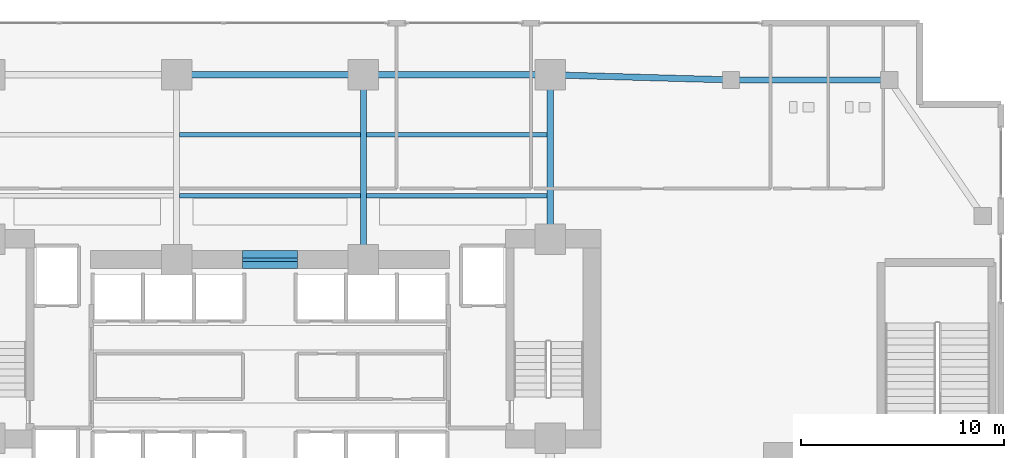
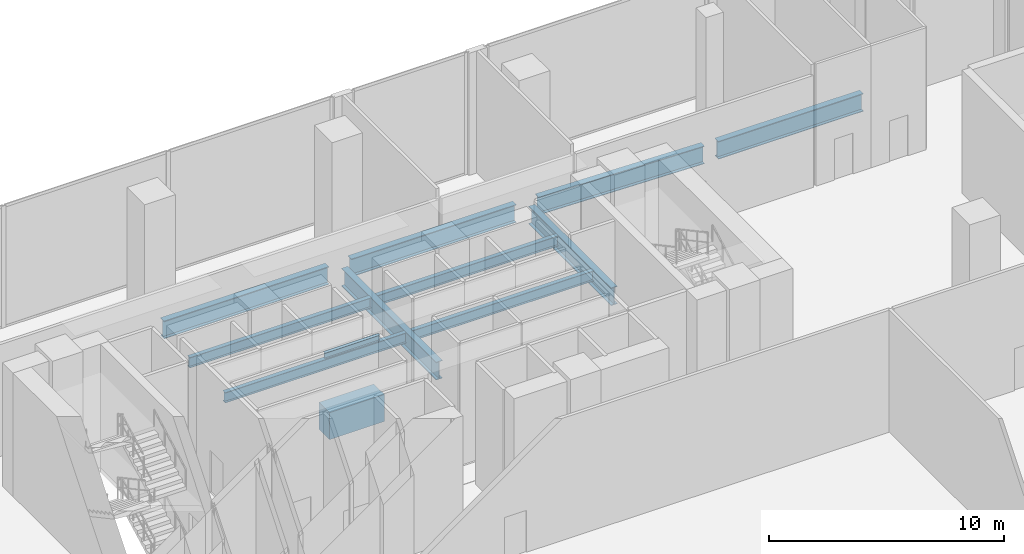
# One storey, part 16 of 30: 12 beams.
"""IFC4 building model written with IfcOpenShell, lengths in metres."""

import ifcopenshell
import ifcopenshell.guid

model = None  # the IFC model being written
_history = None  # IfcOwnerHistory: only IFC2X3 demands one
_inside = {}  # id of a spatial element -> (the spatial element, [elements in it])
_under = {}  # id of a project, library or spatial element -> (it, [spatial elements below it])
_declared = {}  # id of a project -> (the project, [libraries it declares])
_typed = {}  # id of a type object -> (the type object, [elements of that type])
_made_of = {}  # id of a material, layer set ... -> (it, [elements and type objects made of it])


def new_model(schema):
    """Start an empty IFC model of exactly this schema.

    Asked for "IFC4X3", IfcOpenShell would pick the latest addendum, in which some entities
    have other attributes; the version numbers below select the first issue.
    IFC2X3 requires an IfcOwnerHistory on every rooted entity: one is made here for all.
    """
    global model, _history
    if schema == "IFC4X3":
        model = ifcopenshell.file(schema_version=(4, 3, 0, 0))
    else:
        model = ifcopenshell.file(schema=schema)
    _inside.clear()
    _under.clear()
    _declared.clear()
    _typed.clear()
    _made_of.clear()
    _history = None
    if model.schema == "IFC2X3":
        org = make("IfcOrganization", Name="unknown")
        user = make(
            "IfcPersonAndOrganization",
            ThePerson=make("IfcPerson", FamilyName="unknown"),
            TheOrganization=org,
        )
        app = make(
            "IfcApplication",
            ApplicationDeveloper=org,
            Version="unknown",
            ApplicationFullName="unknown",
            ApplicationIdentifier="unknown",
        )
        _history = make(
            "IfcOwnerHistory",
            OwningUser=user,
            OwningApplication=app,
            ChangeAction="ADDED",
            CreationDate=0,
        )
    return model


def make(cls, **values):
    """One entity of the class cls with the attributes given. An attribute that is None is left unset."""
    return model.create_entity(
        cls, **{name: value for name, value in values.items() if value is not None}
    )


def rooted(cls, **values):
    """An entity with a GlobalId (a new one), such as an element, a storey or a relation."""
    return make(cls, GlobalId=ifcopenshell.guid.new(), OwnerHistory=_history, **values)


def si_unit(unit_type, name, prefix=None):
    """IfcSIUnit, for example si_unit("LENGTHUNIT", "METRE", prefix="MILLI")."""
    return make("IfcSIUnit", UnitType=unit_type, Prefix=prefix, Name=name)


def assignment(units):
    """IfcUnitAssignment: the units of a project."""
    return None if units is None else make("IfcUnitAssignment", Units=units)


def point(xyz):
    """IfcCartesianPoint."""
    return None if xyz is None else make("IfcCartesianPoint", Coordinates=xyz)


def direction(xyz):
    """IfcDirection."""
    return None if xyz is None else make("IfcDirection", DirectionRatios=xyz)


def frame(location, z_axis=None, x_axis=None):
    """IfcAxis2Placement3D, a coordinate frame: its origin and axes. An axis left out is left unset."""
    return make(
        "IfcAxis2Placement3D",
        Location=point(location),
        Axis=direction(z_axis),
        RefDirection=direction(x_axis),
    )


def frame_2d(location, x_axis=None):
    """IfcAxis2Placement2D, a coordinate frame in the plane: its origin and x axis."""
    return make(
        "IfcAxis2Placement2D", Location=point(location), RefDirection=direction(x_axis)
    )


def origin():
    """The frame at (0, 0, 0) with its axes left unset."""
    return frame((0.0, 0.0, 0.0))


def origin_2d():
    """The frame at (0, 0) in the plane with its x axis left unset."""
    return frame_2d((0.0, 0.0))


def place(relative_to, where):
    """IfcLocalPlacement: puts the frame where relative to a parent placement (None: the world)."""
    return make(
        "IfcLocalPlacement", PlacementRelTo=relative_to, RelativePlacement=where
    )


def context(
    kind, dimensions, precision=None, world=None, true_north=None, identifier=None
):
    """IfcGeometricRepresentationContext, for example the 3D "Model" context."""
    return make(
        "IfcGeometricRepresentationContext",
        ContextIdentifier=identifier,
        ContextType=kind,
        CoordinateSpaceDimension=dimensions,
        Precision=precision,
        WorldCoordinateSystem=world,
        TrueNorth=true_north,
    )


def subcontext(parent, identifier, kind, view, scale=None):
    """IfcGeometricRepresentationSubContext, for example "Body" below "Model"."""
    return make(
        "IfcGeometricRepresentationSubContext",
        ContextIdentifier=identifier,
        ContextType=kind,
        ParentContext=parent,
        TargetScale=scale,
        TargetView=view,
    )


def project(units=None, contexts=None):
    """IfcProject with its units and contexts."""
    return rooted(
        "IfcProject",
        Name="project",
        RepresentationContexts=contexts,
        UnitsInContext=assignment(units),
    )


def spatial(cls, under=None, at=None, **own):
    """A site, building, storey or space (cls), placed at a placement, below another one or the project."""
    s = rooted(cls, ObjectPlacement=at, **own)
    if under is not None:
        _under.setdefault(under.id(), (under, []))[1].append(s)
    return s


def profile(cls, at=None, kind="AREA", **sizes):
    """A parametric profile (cls). Its sizes go by their IFC names, for example OverallWidth=200.0."""
    return make(cls, ProfileType=kind, Position=at, **sizes)


def rectangle(**sizes):
    """IfcRectangleProfileDef."""
    return profile("IfcRectangleProfileDef", **sizes)


def i_section(**sizes):
    """IfcIShapeProfileDef."""
    return profile("IfcIShapeProfileDef", **sizes)


def extrude(swept, where, along, depth):
    """IfcExtrudedAreaSolid: the profile swept, set in the frame where, extruded along a direction by depth."""
    return make(
        "IfcExtrudedAreaSolid",
        SweptArea=swept,
        Position=where,
        ExtrudedDirection=direction(along),
        Depth=depth,
    )


def shape(context_of_items, identifier, shape_type, items):
    """IfcShapeRepresentation: the items that make up one representation, for example the "Body"."""
    return make(
        "IfcShapeRepresentation",
        ContextOfItems=context_of_items,
        RepresentationIdentifier=identifier,
        RepresentationType=shape_type,
        Items=items,
    )


def material(Name=None, Category=None):
    """IfcMaterial."""
    return make("IfcMaterial", Name=Name, Category=Category)


def material_profile(
    of_material, cross_section, Name=None, Category=None, Priority=None
):
    """IfcMaterialProfile: a cross section and its material."""
    return make(
        "IfcMaterialProfile",
        Name=Name,
        Material=of_material,
        Profile=cross_section,
        Priority=Priority,
        Category=Category,
    )


def profile_set(profiles, Name=None, composite=None):
    """IfcMaterialProfileSet."""
    return make(
        "IfcMaterialProfileSet",
        Name=Name,
        MaterialProfiles=profiles,
        CompositeProfile=composite,
    )


def made_of(thing, what):
    """Note that an element or type object is made of a material, layer set ...; save() writes the relation."""
    if what is not None:
        _made_of.setdefault(what.id(), (what, []))[1].append(thing)
    return thing


def type_object(cls, material=None, **own):
    """A type object (cls), such as IfcWallType, which elements share."""
    return made_of(rooted(cls, **own), material)


def element(
    cls,
    number,
    at=None,
    inside=None,
    cuts=None,
    type_object=None,
    material=None,
    context=None,
    identifier="Body",
    shape_type=None,
    held_by="IfcProductDefinitionShape",
    body=None,
    shapes=None,
    **own,
):
    """One element of the class cls, such as IfcWall. Its Tag is "e" and its number.

    at: its placement. inside: the storey or other place that contains it. cuts: it is an
    opening in that element (IfcRelVoidsElement). A single representation is given by context,
    identifier, shape_type and body (its items); several are given by shapes. held_by: the class
    of the entity that holds the representations. save() writes the other relations.
    """
    e = rooted(cls, Tag="e%d" % number, ObjectPlacement=at, **own)
    if body is not None:
        shapes = [shape(context, identifier, shape_type, body)]
    if shapes is not None:
        e.Representation = make(held_by, Representations=shapes)
    if inside is not None:
        _inside.setdefault(inside.id(), (inside, []))[1].append(e)
    if cuts is not None:
        rooted(
            "IfcRelVoidsElement", RelatingBuildingElement=cuts, RelatedOpeningElement=e
        )
    if type_object is not None:
        _typed.setdefault(type_object.id(), (type_object, []))[1].append(e)
    return made_of(e, material)


def aggregate(whole, parts):
    """IfcRelAggregates: a whole, such as a stair, and the parts it consists of."""
    return rooted("IfcRelAggregates", RelatingObject=whole, RelatedObjects=parts)


def save(model, path):
    """Write the relations noted so far, then the file.

    IfcRelAggregates (storeys below a building ...), IfcRelContainedInSpatialStructure (elements
    in a storey), IfcRelDefinesByType, IfcRelAssociatesMaterial and IfcRelDeclares: one each for
    every whole, place, type object, material and project.
    """
    for whole, parts in _under.values():
        aggregate(whole, parts)
    for where, things in _inside.values():
        rooted(
            "IfcRelContainedInSpatialStructure",
            RelatedElements=things,
            RelatingStructure=where,
        )
    for kind, things in _typed.values():
        rooted("IfcRelDefinesByType", RelatedObjects=things, RelatingType=kind)
    for what, things in _made_of.values():
        rooted("IfcRelAssociatesMaterial", RelatedObjects=things, RelatingMaterial=what)
    for by, libraries in _declared.values():
        rooted("IfcRelDeclares", RelatingContext=by, RelatedDefinitions=libraries)
    model.write(path)


model = new_model("IFC4")

# Units and contexts
model_context = context("Model", 3, precision=1e-05, world=origin(), true_north=direction((0.0, 1.0)))
body_context = subcontext(model_context, "Body", "Model", "MODEL_VIEW")
ifc_project = project(units=[si_unit("LENGTHUNIT", "METRE"), si_unit("AREAUNIT", "SQUARE_METRE"), si_unit("VOLUMEUNIT", "CUBIC_METRE"), si_unit("PLANEANGLEUNIT", "RADIAN"), si_unit("MASSUNIT", "GRAM", prefix="KILO")], contexts=[model_context])

# Site, building, storey
site_placement = place(None, origin())
site = spatial("IfcSite", under=ifc_project, at=site_placement, CompositionType="ELEMENT")
building_placement = place(site_placement, origin())
building = spatial("IfcBuilding", under=site, at=building_placement, Name="Zuhayl Quay Hotel", CompositionType="ELEMENT")
storey_placement = place(building_placement, frame((0.0, 0.0, 11.39990234375)))
storey = spatial("IfcBuildingStorey", under=building, at=storey_placement, Name="L02", CompositionType="ELEMENT", Elevation=11.39990234375)

# Beams
ifc_material_1 = material(Name="Concrete C60/75", Category="concrete")
ifc_material_profile_1 = material_profile(ifc_material_1, rectangle(XDim=0.89990234375, YDim=1.39990234375, at=origin_2d()), Name="RC900X1400")
ifc_profile_set_1 = profile_set([ifc_material_profile_1], Name="Concrete C60/75")
beam_type_1 = type_object("IfcBeamType", Name="BM_CB1_RC900", PredefinedType="T_BEAM", material=ifc_profile_set_1)
beam_1_placement = place(storey_placement, frame((-1.35009765625, 13.35009765625, -0.9599609375), z_axis=(1.0, 0.0, 0.0), x_axis=(0.0, 1.0, 0.0)))
element("IfcBeam", 1, at=beam_1_placement, inside=storey, type_object=beam_type_1, Name="L02 Core Coupling Beam North", PredefinedType="T_BEAM", context=body_context, shape_type="SweptSolid", body=[
    extrude(rectangle(XDim=0.89990234375, YDim=1.39990234375, at=origin_2d()), origin(), (0.0, 0.0, 1.0), 2.7001953125),
])
ifc_material_2 = material(Name="Steel ASTM A992 Grade 50", Category="steel")
ifc_material_profile_2 = material_profile(ifc_material_2, i_section(OverallWidth=0.208984375, OverallDepth=0.532958984375, WebThickness=0.01025390625, FlangeThickness=0.015625, at=origin_2d()), Name="W21X62")
ifc_profile_set_2 = profile_set([ifc_material_profile_2], Name="Steel ASTM A992 Grade 50")
beam_type_2 = type_object("IfcBeamType", Name="BM_J1_W21X62", PredefinedType="JOIST", material=ifc_profile_set_2)
beam_2_placement = place(storey_placement, frame((-4.45458984375, 16.5, -0.5263671875), z_axis=(1.0, 0.0, 0.0), x_axis=(0.0, 1.0, 0.0)))
element("IfcBeam", 2, at=beam_2_placement, inside=storey, type_object=beam_type_2, Name="L02 Floor Beam J_POD_L02_4_2", PredefinedType="JOIST", context=body_context, shape_type="SweptSolid", body=[
    extrude(i_section(OverallWidth=0.208984375, OverallDepth=0.532958984375, WebThickness=0.01025390625, FlangeThickness=0.015625, at=origin_2d()), origin(), (0.0, 0.0, 1.0), 8.9091796875),
])
beam_3_placement = place(storey_placement, frame((4.74560546875, 16.5, -0.5263671875), z_axis=(1.0, 0.0, 0.0), x_axis=(0.0, 1.0, 0.0)))
element("IfcBeam", 3, at=beam_3_placement, inside=storey, type_object=beam_type_2, Name="L02 Floor Beam J_POD_L02_4_3", PredefinedType="JOIST", context=body_context, shape_type="SweptSolid", body=[
    extrude(i_section(OverallWidth=0.208984375, OverallDepth=0.532958984375, WebThickness=0.01025390625, FlangeThickness=0.015625, at=origin_2d()), origin(), (0.0, 0.0, 1.0), 8.908935546875),
])
beam_4_placement = place(storey_placement, frame((-4.45458984375, 19.5, -0.5263671875), z_axis=(1.0, 0.0, 0.0), x_axis=(0.0, 1.0, 0.0)))
element("IfcBeam", 4, at=beam_4_placement, inside=storey, type_object=beam_type_2, Name="L02 Floor Beam J_POD_L02_5_2", PredefinedType="JOIST", context=body_context, shape_type="SweptSolid", body=[
    extrude(i_section(OverallWidth=0.208984375, OverallDepth=0.532958984375, WebThickness=0.01025390625, FlangeThickness=0.015625, at=origin_2d()), origin(), (0.0, 0.0, 1.0), 8.9091796875),
])
beam_5_placement = place(storey_placement, frame((4.74560546875, 19.5, -0.5263671875), z_axis=(1.0, 0.0, 0.0), x_axis=(0.0, 1.0, 0.0)))
element("IfcBeam", 5, at=beam_5_placement, inside=storey, type_object=beam_type_2, Name="L02 Floor Beam J_POD_L02_5_3", PredefinedType="JOIST", context=body_context, shape_type="SweptSolid", body=[
    extrude(i_section(OverallWidth=0.208984375, OverallDepth=0.532958984375, WebThickness=0.01025390625, FlangeThickness=0.015625, at=origin_2d()), origin(), (0.0, 0.0, 1.0), 8.908935546875),
])
ifc_material_profile_3 = material_profile(ifc_material_2, i_section(OverallWidth=0.1650390625, OverallDepth=0.31005859375, WebThickness=0.005859375, FlangeThickness=0.009765625, at=origin_2d()), Name="W12X26")
ifc_profile_set_3 = profile_set([ifc_material_profile_3], Name="Steel ASTM A992 Grade 50")
beam_type_3 = type_object("IfcBeamType", Name="BM_LN1_W12X26", PredefinedType="LINTEL", material=ifc_profile_set_3)
beam_6_placement = place(storey_placement, frame((-1.35009765625, 13.35009765625, 2.4501953125), z_axis=(1.0, 0.0, 0.0), x_axis=(0.0, 1.0, 0.0)))
element("IfcBeam", 6, at=beam_6_placement, inside=storey, type_object=beam_type_3, Name="L02 Core Portal Header Steel Lintel LN1-5", PredefinedType="LINTEL", context=body_context, shape_type="SweptSolid", body=[
    extrude(i_section(OverallWidth=0.1650390625, OverallDepth=0.31005859375, WebThickness=0.005859375, FlangeThickness=0.009765625, at=origin_2d()), origin(), (0.0, 0.0, 1.0), 2.7001953125),
])
ifc_material_profile_4 = material_profile(ifc_material_2, i_section(OverallWidth=0.306884765625, OverallDepth=0.927001953125, WebThickness=0.019287109375, FlangeThickness=0.031982421875, at=origin_2d()), Name="W36X194")
ifc_profile_set_4 = profile_set([ifc_material_profile_4], Name="Steel ASTM A992 Grade 50")
beam_type_4 = type_object("IfcBeamType", Name="BM_PG2_W36X194", PredefinedType="BEAM", material=ifc_profile_set_4)
for number, where, z_axis, x_axis, name in (
    (7, (-4.050048828125, 22.449951171875, -0.723388671875), (1.0, 0.0, 0.0), (0.0, 1.0, 0.0), "L02 Floor Beam PG_N_L02_3"),
    (8, (5.14990234375, 22.449951171875, -0.723388671875), (1.0, 0.0, 0.0), (0.0, 1.0, 0.0), "L02 Floor Beam PG_N_L02_4"),
):
    element("IfcBeam", number, at=place(storey_placement, frame(where, z_axis=z_axis, x_axis=x_axis)), inside=storey, type_object=beam_type_4, Name=name, PredefinedType="BEAM", context=body_context, shape_type="SweptSolid", body=[
        extrude(i_section(OverallWidth=0.306884765625, OverallDepth=0.927001953125, WebThickness=0.019287109375, FlangeThickness=0.031982421875, at=origin_2d()), origin(), (0.0, 0.0, 1.0), 8.10009765625),
    ])
beam_7_placement = place(storey_placement, frame((14.349853515625, 22.4345703125, -0.723388671875), z_axis=(0.99960539529, -0.028090099801, 0.0), x_axis=(0.028090099801, 0.99960539529, 0.0)))
element("IfcBeam", 9, at=beam_7_placement, inside=storey, type_object=beam_type_4, Name="L02 Floor Beam PG_N_L02_5", PredefinedType="BEAM", context=body_context, shape_type="SweptSolid", body=[
    extrude(i_section(OverallWidth=0.306884765625, OverallDepth=0.927001953125, WebThickness=0.019287109375, FlangeThickness=0.031982421875, at=origin_2d()), origin(), (0.0, 0.0, 1.0), 8.013427734375),
])
beam_8_placement = place(storey_placement, frame((23.0400390625, 22.199951171875, -0.723388671875), z_axis=(1.0, 0.0, 0.0), x_axis=(0.0, 1.0, 0.0)))
element("IfcBeam", 10, at=beam_8_placement, inside=storey, type_object=beam_type_4, Name="L02 Floor Beam PG_N_L02_6", PredefinedType="BEAM", context=body_context, shape_type="SweptSolid", body=[
    extrude(i_section(OverallWidth=0.306884765625, OverallDepth=0.927001953125, WebThickness=0.019287109375, FlangeThickness=0.031982421875, at=origin_2d()), origin(), (0.0, 0.0, 1.0), 7.119873046875),
])
beam_9_placement = place(storey_placement, frame((4.60009765625, 13.8701171875, -0.723388671875), z_axis=(0.0, 1.0, 0.0), x_axis=(-1.0, 0.0, 0.0)))
element("IfcBeam", 11, at=beam_9_placement, inside=storey, type_object=beam_type_4, Name="L02 Floor Beam PG_NS3_L02_3", PredefinedType="BEAM", context=body_context, shape_type="SweptSolid", body=[
    extrude(i_section(OverallWidth=0.306884765625, OverallDepth=0.927001953125, WebThickness=0.019287109375, FlangeThickness=0.031982421875, at=origin_2d()), origin(), (0.0, 0.0, 1.0), 8.059814453125),
])
beam_10_placement = place(storey_placement, frame((13.800048828125, 14.919921875, -0.723388671875), z_axis=(0.0, 1.0, 0.0), x_axis=(-1.0, 0.0, 0.0)))
element("IfcBeam", 12, at=beam_10_placement, inside=storey, type_object=beam_type_4, Name="L02 Floor Beam PG_NS3_L02_4", PredefinedType="BEAM", context=body_context, shape_type="SweptSolid", body=[
    extrude(i_section(OverallWidth=0.306884765625, OverallDepth=0.927001953125, WebThickness=0.019287109375, FlangeThickness=0.031982421875, at=origin_2d()), origin(), (0.0, 0.0, 1.0), 7.010009765625),
])

save(model, "model.ifc")
